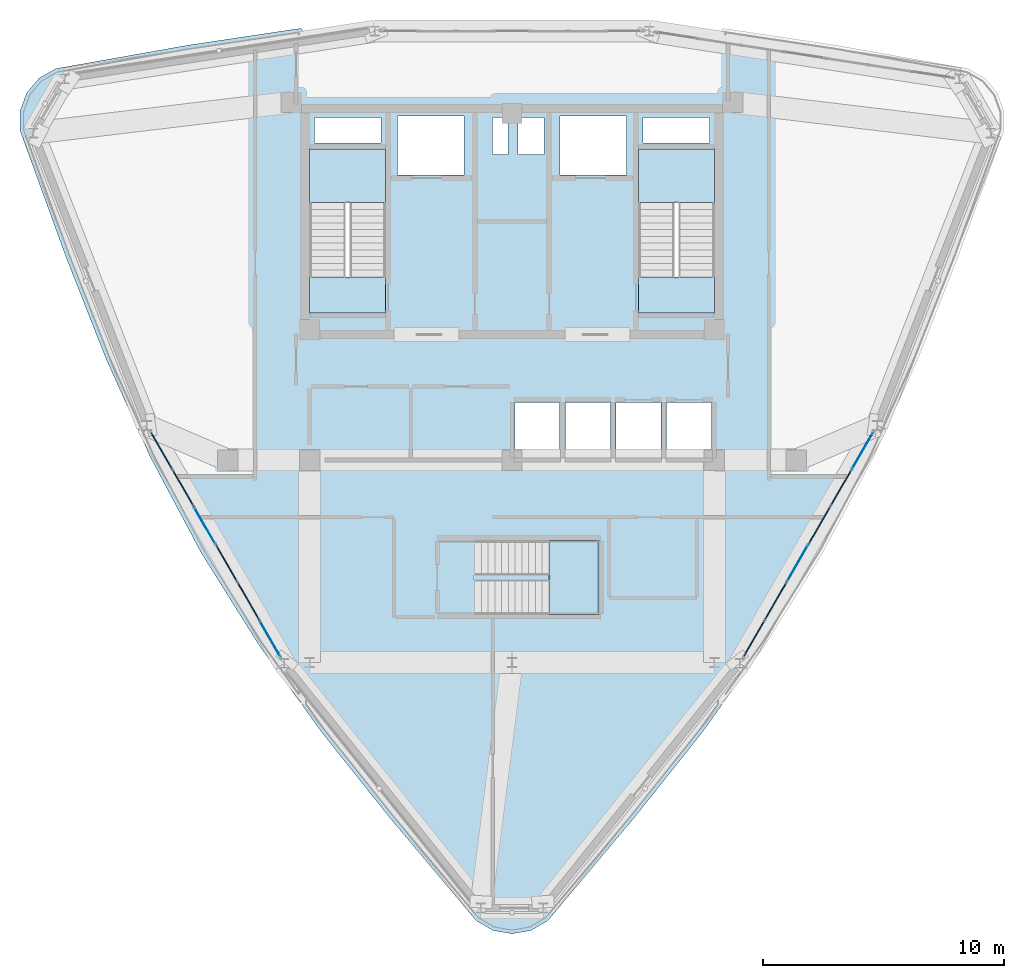
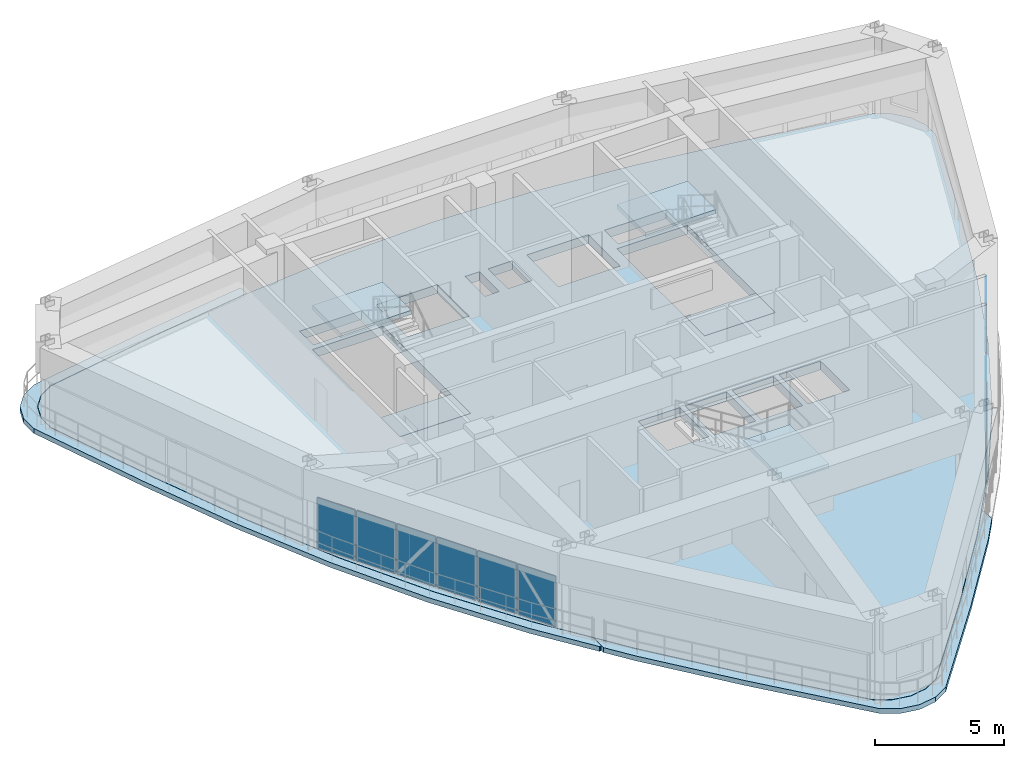
# One storey, part 11 of 18: 12 plates, 8 slabs, 5 elements without a shape of their own.
"""IFC4 building model written with IfcOpenShell, lengths in metres."""

from ifc_helpers import new_model, si_unit, derived_unit, direction, frame, origin, origin_2d, place, context, subcontext, project, spatial, polyline, rectangle, outline, extrude, source, transform, mapped, material, layer, layer_set, type_object, element, aggregate, save


model = new_model("IFC4")

# Units and contexts
model_context = context("Model", 3, precision=1e-05, world=origin(), true_north=direction((0.0, 1.0)))
body_context = subcontext(model_context, "Body", "Model", "MODEL_VIEW")
ifc_project = project(units=[si_unit("LENGTHUNIT", "METRE"), si_unit("AREAUNIT", "SQUARE_METRE"), si_unit("VOLUMEUNIT", "CUBIC_METRE"), si_unit("PLANEANGLEUNIT", "RADIAN"), si_unit("MASSUNIT", "GRAM", prefix="KILO"), derived_unit("THERMALTRANSMITTANCEUNIT", [(si_unit("POWERUNIT", "WATT"), 1), (si_unit("LENGTHUNIT", "METRE"), -2), (si_unit("THERMODYNAMICTEMPERATUREUNIT", "KELVIN"), -1)])], contexts=[model_context])

# Site, building, storey
site_placement = place(None, origin())
site = spatial("IfcSite", under=ifc_project, at=site_placement, CompositionType="ELEMENT")
building_placement = place(site_placement, origin())
building = spatial("IfcBuilding", under=site, at=building_placement, Name="Korsvarv Bourse and Concert Hall", CompositionType="ELEMENT")
storey_placement = place(building_placement, frame((0.0, 0.0, 275.39990234375)))
storey = spatial("IfcBuildingStorey", under=building, at=storey_placement, Name="L72", CompositionType="ELEMENT", Elevation=275.39990234375)

# Slabs
ifc_material_1 = material(Name="Precast concrete C45/55", Category="concrete")
ifc_layer_1 = layer(ifc_material_1, 0.199951171875)
ifc_layer_set_1 = layer_set([ifc_layer_1], Name="Precast concrete C45/55")
slab_type_1 = type_object("IfcSlabType", Name="SLB-FLND-T", PredefinedType="LANDING", material=ifc_layer_set_1)
slab_1_placement = place(storey_placement, frame((0.0, 0.0, -0.199951171875)))
element("IfcSlab", 1, at=slab_1_placement, inside=storey, type_object=slab_type_1, Name="L72 Stair ST-T1 Floor Landing Slab", PredefinedType="LANDING", context=body_context, shape_type="SweptSolid", body=[
    extrude(outline(polyline([(30.760009765625, 38.5), (30.760009765625, 40.0), (27.60009765625, 40.0), (27.60009765625, 38.5), (30.760009765625, 38.5)])), origin(), (0.0, 0.0, 1.0), 0.199951171875),
])
slab_2_placement = place(storey_placement, frame((0.0, 0.0, -0.199951171875)))
element("IfcSlab", 2, at=slab_2_placement, inside=storey, type_object=slab_type_1, Name="L72 Stair ST-T2 Floor Landing Slab", PredefinedType="LANDING", context=body_context, shape_type="SweptSolid", body=[
    extrude(outline(polyline([(44.39990234375, 38.5), (44.39990234375, 40.0), (41.239990234375, 40.0), (41.239990234375, 38.5), (44.39990234375, 38.5)])), origin(), (0.0, 0.0, 1.0), 0.199951171875),
])
ifc_material_2 = material(Name="Concrete C45/55", Category="concrete")
ifc_layer_2 = layer(ifc_material_2, 0.239990234375)
ifc_layer_set_2 = layer_set([ifc_layer_2], Name="Concrete C45/55")
slab_type_2 = type_object("IfcSlabType", Name="SLB-LKT", PredefinedType="FLOOR", material=ifc_layer_set_2)
slab_3_placement = place(storey_placement, frame((0.0, 0.0, -0.419921875)))
element("IfcSlab", 3, at=slab_3_placement, inside=storey, type_object=slab_type_2, Name="L72 tower structural floor slab", PredefinedType="FLOOR", context=body_context, shape_type="SweptSolid", body=[
    extrude(outline(polyline([(55.48974609375, 44.930419921875), (53.9658203125, 40.7333984375), (52.346923828125, 36.61572265625), (50.546630859375, 32.622802734375), (48.5048828125, 28.7802734375), (46.197998046875, 25.0908203125), (43.64013671875, 21.53515625), (40.8837890625, 18.074462890625), (38.010498046875, 14.65576171875), (37.418212890625, 13.94970703125), (36.754638671875, 13.566650390625), (36.0, 13.43359375), (35.245361328125, 13.566650390625), (34.581787109375, 13.94970703125), (33.989013671875, 14.65625), (31.1162109375, 18.074462890625), (28.35986328125, 21.53515625), (25.802001953125, 25.0908203125), (23.4951171875, 28.7802734375), (21.453369140625, 32.622802734375), (19.653076171875, 36.61572265625), (18.0341796875, 40.7333984375), (16.510009765625, 44.930908203125), (16.19482421875, 45.796875), (16.19482421875, 46.56298828125), (16.456787109375, 47.283203125), (16.949462890625, 47.8701171875), (17.613037109375, 48.25341796875), (18.521240234375, 48.41357421875), (22.91796875, 49.192138671875), (27.293212890625, 49.84912109375), (31.6513671875, 50.2861328125), (36.0, 50.439453125), (40.3486328125, 50.2861328125), (44.706787109375, 49.84912109375), (49.08203125, 49.192138671875), (53.4794921875, 48.413330078125), (54.386962890625, 48.25341796875), (55.050537109375, 47.8701171875), (55.543212890625, 47.283203125), (55.80517578125, 46.56298828125), (55.80517578125, 45.796875), (55.48974609375, 44.930419921875)]), holes=[polyline([(30.760009765625, 38.5), (30.760009765625, 45.300048828125), (27.60009765625, 45.300048828125), (27.60009765625, 38.5), (30.760009765625, 38.5)]), polyline([(44.39990234375, 38.5), (44.39990234375, 45.300048828125), (41.239990234375, 45.300048828125), (41.239990234375, 38.5), (44.39990234375, 38.5)]), polyline([(31.239990234375, 44.219970703125), (34.0, 44.219970703125), (34.0, 46.679931640625), (31.239990234375, 46.679931640625), (31.239990234375, 44.219970703125)]), polyline([(38.0, 44.219970703125), (40.760009765625, 44.219970703125), (40.760009765625, 46.679931640625), (38.0, 46.679931640625), (38.0, 44.219970703125)]), polyline([(36.1201171875, 32.52001953125), (37.97998046875, 32.52001953125), (37.97998046875, 34.780029296875), (36.1201171875, 34.780029296875), (36.1201171875, 32.52001953125)]), polyline([(38.219970703125, 32.52001953125), (40.080078125, 32.52001953125), (40.080078125, 34.780029296875), (38.219970703125, 34.780029296875), (38.219970703125, 32.52001953125)]), polyline([(40.320068359375, 32.52001953125), (42.179931640625, 32.52001953125), (42.179931640625, 34.780029296875), (40.320068359375, 34.780029296875), (40.320068359375, 32.52001953125)]), polyline([(42.419921875, 32.52001953125), (44.280029296875, 32.52001953125), (44.280029296875, 34.780029296875), (42.419921875, 34.780029296875), (42.419921875, 32.52001953125)]), polyline([(27.800048828125, 45.56005859375), (30.56005859375, 45.56005859375), (30.56005859375, 46.6201171875), (27.800048828125, 46.6201171875), (27.800048828125, 45.56005859375)]), polyline([(41.43994140625, 45.56005859375), (44.199951171875, 45.56005859375), (44.199951171875, 46.6201171875), (41.43994140625, 46.6201171875), (41.43994140625, 45.56005859375)]), polyline([(35.199951171875, 45.080078125), (35.840087890625, 45.080078125), (35.840087890625, 46.6201171875), (35.199951171875, 46.6201171875), (35.199951171875, 45.080078125)]), polyline([(36.239990234375, 45.080078125), (37.320068359375, 45.080078125), (37.320068359375, 46.6201171875), (36.239990234375, 46.6201171875), (36.239990234375, 45.080078125)])]), origin(), (0.0, 0.0, 1.0), 0.419921875),
])
ifc_layer_3 = layer(ifc_material_2, 0.22998046875)
ifc_layer_set_3 = layer_set([ifc_layer_3], Name="Concrete C45/55")
slab_type_3 = type_object("IfcSlabType", Name="SLB-SKY", PredefinedType="FLOOR", material=ifc_layer_set_3)
slab_4_placement = place(storey_placement, frame((0.0, 0.0, -0.22998046875)))
element("IfcSlab", 4, at=slab_4_placement, inside=storey, type_object=slab_type_3, Name="L72 Crescent Sky Garden Terrace 1", PredefinedType="FLOOR", context=body_context, shape_type="SweptSolid", body=[
    extrude(outline(polyline([(16.184814453125, 46.56298828125), (16.184814453125, 46.5625), (16.184814453125, 45.797607421875), (16.184814453125, 45.796875), (16.184814453125, 45.795654296875), (16.18505859375, 45.794677734375), (16.185302734375, 45.79345703125), (16.185546875, 45.792724609375), (16.50048828125, 44.927490234375), (18.024658203125, 40.730224609375), (18.02490234375, 40.72998046875), (18.02490234375, 40.7294921875), (19.6435546875, 36.612548828125), (19.643798828125, 36.612060546875), (19.64404296875, 36.611328125), (21.444091796875, 32.619140625), (21.4443359375, 32.618408203125), (21.44482421875, 32.61767578125), (23.486083984375, 28.77587890625), (23.486328125, 28.775390625), (23.48681640625, 28.7744140625), (25.793212890625, 25.0859375), (25.793701171875, 25.085205078125), (25.794189453125, 25.084716796875), (27.288818359375, 23.007080078125), (27.2919921875, 23.001708984375), (27.294921875, 22.99609375), (27.297119140625, 22.990478515625), (27.298583984375, 22.984375), (27.2998046875, 22.978271484375), (27.300048828125, 22.971923828125), (27.300048828125, 22.405517578125), (27.2998046875, 22.399658203125), (27.298828125, 22.393798828125), (27.297607421875, 22.38818359375), (27.295654296875, 22.3828125), (27.293212890625, 22.37744140625), (27.290283203125, 22.37255859375), (27.28662109375, 22.367919921875), (27.282958984375, 22.36328125), (27.278564453125, 22.359619140625), (27.27392578125, 22.35595703125), (27.26904296875, 22.352783203125), (27.263916015625, 22.350341796875), (27.25830078125, 22.348388671875), (27.252685546875, 22.3466796875), (27.2470703125, 22.345703125), (27.2412109375, 22.345458984375), (27.235595703125, 22.345703125), (27.229736328125, 22.34619140625), (27.22412109375, 22.34765625), (27.218505859375, 22.349365234375), (27.213134765625, 22.351806640625), (27.2080078125, 22.3544921875), (27.203369140625, 22.35791015625), (27.198974609375, 22.361572265625), (27.19482421875, 22.36572265625), (27.19140625, 22.370361328125), (25.476806640625, 24.75341796875), (25.474853515625, 24.756591796875), (23.10205078125, 28.551025390625), (23.10009765625, 28.5546875), (21.00048828125, 32.506591796875), (20.998779296875, 32.510009765625), (19.14697265625, 36.616943359375), (19.14599609375, 36.61962890625), (17.48095703125, 40.855712890625), (17.480224609375, 40.85693359375), (15.912353515625, 45.176025390625), (15.589111328125, 46.064697265625), (15.58740234375, 46.069580078125), (15.586181640625, 46.07470703125), (15.585693359375, 46.079833984375), (15.58544921875, 46.085205078125), (15.58544921875, 46.864990234375), (15.585693359375, 46.8701171875), (15.586181640625, 46.875244140625), (15.58740234375, 46.880615234375), (15.589111328125, 46.885498046875), (15.855712890625, 47.618408203125), (15.85791015625, 47.623046875), (15.860107421875, 47.627685546875), (15.863037109375, 47.632080078125), (15.8662109375, 47.63623046875), (16.367431640625, 48.233642578125), (16.370849609375, 48.237548828125), (16.374755859375, 48.2412109375), (16.37890625, 48.244384765625), (16.38330078125, 48.2470703125), (17.05859375, 48.636962890625), (17.0634765625, 48.639404296875), (17.068115234375, 48.641357421875), (17.0732421875, 48.64306640625), (17.078369140625, 48.64404296875), (18.01025390625, 48.80859375), (22.533935546875, 49.610107421875), (22.535400390625, 49.610107421875), (27.036376953125, 50.286376953125), (27.039306640625, 50.28662109375), (27.23388671875, 50.30615234375), (27.239990234375, 50.306396484375), (27.245849609375, 50.30615234375), (27.251708984375, 50.305419921875), (27.25732421875, 50.303955078125), (27.262939453125, 50.302001953125), (27.268310546875, 50.29931640625), (27.273193359375, 50.29638671875), (27.278076171875, 50.29296875), (27.282470703125, 50.2890625), (27.286376953125, 50.28466796875), (27.289794921875, 50.27978515625), (27.29296875, 50.27490234375), (27.29541015625, 50.26953125), (27.29736328125, 50.263916015625), (27.298828125, 50.25830078125), (27.2998046875, 50.25244140625), (27.300048828125, 50.24658203125), (27.300048828125, 49.911865234375), (27.2998046875, 49.90576171875), (27.298828125, 49.899658203125), (27.297119140625, 49.893798828125), (27.295166015625, 49.88818359375), (27.29248046875, 49.8828125), (27.289306640625, 49.87744140625), (27.285400390625, 49.872802734375), (27.28125, 49.868408203125), (27.276611328125, 49.8642578125), (27.271484375, 49.86083984375), (27.266357421875, 49.85791015625), (27.2607421875, 49.85546875), (27.2548828125, 49.853759765625), (27.248779296875, 49.8525390625), (22.91650390625, 49.2021484375), (22.91650390625, 49.201904296875), (22.916015625, 49.201904296875), (18.519287109375, 48.42333984375), (17.612060546875, 48.26318359375), (17.611572265625, 48.26318359375), (17.610107421875, 48.2626953125), (17.609375, 48.262451171875), (17.608154296875, 48.261962890625), (17.607666015625, 48.26171875), (16.945068359375, 47.879150390625), (16.944580078125, 47.87890625), (16.943359375, 47.878173828125), (16.942626953125, 47.87744140625), (16.94189453125, 47.87646484375), (16.94140625, 47.876220703125), (16.44970703125, 47.2900390625), (16.44921875, 47.289794921875), (16.448486328125, 47.28857421875), (16.447998046875, 47.287841796875), (16.447509765625, 47.28662109375), (16.447265625, 47.285888671875), (16.185546875, 46.567138671875), (16.185302734375, 46.566650390625), (16.18505859375, 46.565185546875), (16.184814453125, 46.564453125), (16.184814453125, 46.56298828125)])), origin(), (0.0, 0.0, 1.0), 0.22998046875),
])
slab_5_placement = place(storey_placement, frame((0.0, 0.0, -0.22998046875)))
element("IfcSlab", 5, at=slab_5_placement, inside=storey, type_object=slab_type_3, Name="L72 Crescent Sky Garden Terrace 3", PredefinedType="FLOOR", context=body_context, shape_type="SweptSolid", body=[
    extrude(outline(polyline([(34.57568359375, 13.94189453125), (34.576904296875, 13.941162109375), (34.577392578125, 13.94091796875), (35.23974609375, 13.558349609375), (35.240234375, 13.55810546875), (35.241455078125, 13.5576171875), (35.242431640625, 13.55712890625), (35.24365234375, 13.556884765625), (35.244384765625, 13.556640625), (35.99755859375, 13.423828125), (35.998291015625, 13.423828125), (35.99951171875, 13.423583984375), (36.00048828125, 13.423583984375), (36.001708984375, 13.423828125), (36.00244140625, 13.423828125), (36.755615234375, 13.556640625), (36.75634765625, 13.556884765625), (36.757568359375, 13.55712890625), (36.758544921875, 13.5576171875), (36.759765625, 13.55810546875), (36.76025390625, 13.558349609375), (37.422607421875, 13.94091796875), (37.423095703125, 13.941162109375), (37.42431640625, 13.94189453125), (37.425048828125, 13.9423828125), (37.42578125, 13.943603515625), (37.42626953125, 13.94384765625), (38.018310546875, 14.6494140625), (40.89111328125, 18.06787109375), (40.891357421875, 18.068115234375), (40.8916015625, 18.068603515625), (43.647705078125, 21.52880859375), (43.648193359375, 21.529052734375), (43.648681640625, 21.52978515625), (44.59130859375, 22.840087890625), (44.594970703125, 22.8447265625), (44.598876953125, 22.848876953125), (44.603515625, 22.852783203125), (44.608154296875, 22.85595703125), (44.61328125, 22.85888671875), (44.618408203125, 22.861083984375), (44.6240234375, 22.863037109375), (44.629638671875, 22.8642578125), (44.635498046875, 22.864990234375), (44.641357421875, 22.864990234375), (44.647216796875, 22.86474609375), (44.65283203125, 22.86376953125), (44.658447265625, 22.8623046875), (44.663818359375, 22.860107421875), (44.669189453125, 22.857666015625), (44.674072265625, 22.8544921875), (44.6787109375, 22.85107421875), (44.682861328125, 22.84716796875), (44.686767578125, 22.8427734375), (44.690185546875, 22.838134765625), (44.693115234375, 22.8330078125), (44.695556640625, 22.827880859375), (44.697509765625, 22.822265625), (44.698974609375, 22.816650390625), (44.69970703125, 22.81103515625), (44.699951171875, 22.80517578125), (44.699951171875, 22.238525390625), (44.69970703125, 22.232421875), (44.69873046875, 22.226318359375), (44.697021484375, 22.22021484375), (44.69482421875, 22.21435546875), (44.692138671875, 22.208740234375), (44.688720703125, 22.20361328125), (43.892333984375, 21.096435546875), (43.890380859375, 21.093994140625), (41.0546875, 17.5341796875), (41.0537109375, 17.533203125), (38.09716796875, 14.015625), (37.4892578125, 13.291259765625), (37.48583984375, 13.287353515625), (37.48193359375, 13.283935546875), (37.477783203125, 13.28076171875), (37.473388671875, 13.27783203125), (36.798095703125, 12.887939453125), (36.79345703125, 12.885498046875), (36.78857421875, 12.883544921875), (36.78369140625, 12.882080078125), (36.778564453125, 12.880859375), (36.010498046875, 12.745361328125), (36.005126953125, 12.744873046875), (36.0, 12.744384765625), (35.994873046875, 12.744873046875), (35.989501953125, 12.745361328125), (35.221435546875, 12.880859375), (35.21630859375, 12.882080078125), (35.21142578125, 12.883544921875), (35.20654296875, 12.885498046875), (35.201904296875, 12.887939453125), (34.526611328125, 13.27783203125), (34.522216796875, 13.28076171875), (34.51806640625, 13.283935546875), (34.51416015625, 13.287353515625), (34.5107421875, 13.291259765625), (33.90234375, 14.01611328125), (30.9462890625, 17.533203125), (30.9453125, 17.5341796875), (28.109619140625, 21.093994140625), (28.107666015625, 21.096435546875), (27.311279296875, 22.20361328125), (27.307861328125, 22.208740234375), (27.30517578125, 22.21435546875), (27.302978515625, 22.22021484375), (27.30126953125, 22.226318359375), (27.30029296875, 22.232421875), (27.300048828125, 22.238525390625), (27.300048828125, 22.80517578125), (27.30029296875, 22.81103515625), (27.301025390625, 22.816650390625), (27.302490234375, 22.822265625), (27.304443359375, 22.827880859375), (27.306884765625, 22.8330078125), (27.309814453125, 22.838134765625), (27.313232421875, 22.8427734375), (27.317138671875, 22.84716796875), (27.3212890625, 22.85107421875), (27.325927734375, 22.8544921875), (27.330810546875, 22.857666015625), (27.336181640625, 22.860107421875), (27.341552734375, 22.8623046875), (27.34716796875, 22.86376953125), (27.352783203125, 22.86474609375), (27.358642578125, 22.864990234375), (27.364501953125, 22.864990234375), (27.370361328125, 22.8642578125), (27.3759765625, 22.863037109375), (27.381591796875, 22.861083984375), (27.38671875, 22.85888671875), (27.391845703125, 22.85595703125), (27.396484375, 22.852783203125), (27.401123046875, 22.848876953125), (27.405029296875, 22.8447265625), (27.40869140625, 22.840087890625), (28.351318359375, 21.52978515625), (28.351806640625, 21.529296875), (28.352294921875, 21.528564453125), (31.1083984375, 18.068359375), (31.1083984375, 18.068115234375), (31.10888671875, 18.06787109375), (33.981201171875, 14.649658203125), (34.57373046875, 13.94384765625), (34.57421875, 13.943603515625), (34.574951171875, 13.9423828125), (34.57568359375, 13.94189453125)])), origin(), (0.0, 0.0, 1.0), 0.22998046875),
])

# Stair, slab
stair_type_1 = type_object("IfcStairType", Name="STR-TYPE-05", PredefinedType="HALF_TURN_STAIR", material=ifc_material_1)
stair_1_placement = place(storey_placement, origin())
stair_1 = element("IfcStair", 6, at=stair_1_placement, inside=storey, type_object=stair_type_1, Name="L72 Tower West Exit Stair ST-T1", PredefinedType="HALF_TURN_STAIR")
ifc_layer_4 = layer(ifc_material_1, 0.199951171875)
ifc_layer_set_4 = layer_set([ifc_layer_4], Name="Precast concrete C45/55")
slab_type_4 = type_object("IfcSlabType", Name="SLB-ST-LND", PredefinedType="LANDING", material=ifc_layer_set_4)
slab_6_placement = place(storey_placement, frame((0.0, 0.0, 1.900146484375)))
slab_6 = element("IfcSlab", 7, at=slab_6_placement, type_object=slab_type_4, Name="ST-T1 landing 1", PredefinedType="LANDING", context=body_context, shape_type="SweptSolid", body=[
    extrude(outline(polyline([(30.760009765625, 43.080078125), (30.760009765625, 45.300048828125), (27.60009765625, 45.300048828125), (27.60009765625, 43.080078125), (30.760009765625, 43.080078125)])), origin(), (0.0, 0.0, 1.0), 0.199951171875),
])
aggregate(stair_1, [slab_6])

stair_2_placement = place(storey_placement, origin())
stair_2 = element("IfcStair", 8, at=stair_2_placement, inside=storey, type_object=stair_type_1, Name="L72 Tower East Exit Stair ST-T2", PredefinedType="HALF_TURN_STAIR")
slab_7_placement = place(storey_placement, frame((0.0, 0.0, 1.900146484375)))
slab_7 = element("IfcSlab", 9, at=slab_7_placement, type_object=slab_type_4, Name="ST-T2 landing 1", PredefinedType="LANDING", context=body_context, shape_type="SweptSolid", body=[
    extrude(outline(polyline([(44.39990234375, 43.080078125), (44.39990234375, 45.300048828125), (41.239990234375, 45.300048828125), (41.239990234375, 43.080078125), (44.39990234375, 43.080078125)])), origin(), (0.0, 0.0, 1.0), 0.199951171875),
])
aggregate(stair_2, [slab_7])

stair_type_2 = type_object("IfcStairType", Name="STR-TYPE-08", PredefinedType="HALF_TURN_STAIR", material=ifc_material_1)
stair_3_placement = place(storey_placement, origin())
stair_3 = element("IfcStair", 10, at=stair_3_placement, inside=storey, type_object=stair_type_2, Name="L72 Public Lookout Feature Stair ST-LK1", PredefinedType="HALF_TURN_STAIR")
slab_8_placement = place(storey_placement, frame((0.0, 0.0, 1.900146484375)))
slab_8 = element("IfcSlab", 11, at=slab_8_placement, type_object=slab_type_4, Name="ST-LK1 landing 1", PredefinedType="LANDING", context=body_context, shape_type="SweptSolid", body=[
    extrude(outline(polyline([(37.530029296875, 26.0), (39.60009765625, 26.0), (39.60009765625, 29.06005859375), (37.530029296875, 29.06005859375), (37.530029296875, 26.0)])), origin(), (0.0, 0.0, 1.0), 0.199951171875),
])
aggregate(stair_3, [slab_8])

# Curtain wall, plate
ifc_material_3 = material(Name="Anodised aluminium and triple low-E glazing", Category="glass")
ifc_layer_5 = layer(ifc_material_3, 0.18994140625)
ifc_layer_set_5 = layer_set([ifc_layer_5], Name="Anodised aluminium and triple low-E glazing")
curtain_wall_type = type_object("IfcCurtainWallType", Name="CW-SYS-4", PredefinedType="NOTDEFINED", material=ifc_layer_set_5)
curtain_wall_1_placement = place(storey_placement, origin())
curtain_wall_1 = element("IfcCurtainWall", 12, at=curtain_wall_1_placement, inside=storey, type_object=curtain_wall_type, Name="L72 CW4 curtain wall CW-L72-F07", PredefinedType="NOTDEFINED")
ifc_material_4 = material(Name="Tempered triple insulated low-E architectural glass", Category="glass")
ifc_layer_6 = layer(ifc_material_4, 0.0419921875)
ifc_layer_set_6 = layer_set([ifc_layer_6], Name="Tempered triple insulated low-E architectural glass")
plate_type_1 = type_object("IfcPlateType", Name="CWP-VIS3", PredefinedType="CURTAIN_PANEL", material=ifc_layer_set_6)
shared_shape_1 = source(origin(), body_context, "Body", "SweptSolid", [
    extrude(rectangle(XDim=1.69873046875, YDim=0.0419921875, at=origin_2d()), origin(), (0.0, 0.0, 1.0), 2.389892578125),
])
plate_1_placement = place(storey_placement, frame((21.456787109375, 32.7900390625, 0.06494140625), z_axis=(0.0, 0.0, 1.0), x_axis=(0.500004006179, -0.866023090804, 0.0)))
plate_1 = element("IfcPlate", 13, at=plate_1_placement, type_object=plate_type_1, Name="CW4 faceted panel 1.1", PredefinedType="CURTAIN_PANEL", context=body_context, shape_type="MappedRepresentation", body=[
    mapped(shared_shape_1, transform((0.0, 0.0, 0.0), scale=1.0)),
])

curtain_wall_2_placement = place(storey_placement, origin())
curtain_wall_2 = element("IfcCurtainWall", 14, at=curtain_wall_2_placement, inside=storey, type_object=curtain_wall_type, Name="L72 CW4 curtain wall CW-L72-F11", PredefinedType="NOTDEFINED")
plate_2_placement = place(storey_placement, frame((46.051513671875, 25.01025390625, 0.06494140625), z_axis=(0.0, 0.0, 1.0), x_axis=(0.500004006179, 0.866023090804, 0.0)))
plate_2 = element("IfcPlate", 15, at=plate_2_placement, type_object=plate_type_1, Name="CW4 faceted panel 1.1", PredefinedType="CURTAIN_PANEL", context=body_context, shape_type="MappedRepresentation", body=[
    mapped(shared_shape_1, transform((0.0, 0.0, 0.0), scale=1.0)),
])

# Plate
shared_shape_2 = source(origin(), body_context, "Body", "SweptSolid", [
    extrude(rectangle(XDim=1.733642578125, YDim=0.0419921875, at=origin_2d()), origin(), (0.0, 0.0, 1.0), 2.389892578125),
])
plate_3_placement = place(storey_placement, frame((22.349853515625, 31.2431640625, 0.06494140625), z_axis=(0.0, 0.0, 1.0), x_axis=(0.500004006179, -0.866023090804, 0.0)))
plate_3 = element("IfcPlate", 16, at=plate_3_placement, type_object=plate_type_1, Name="CW4 faceted panel 2.1", PredefinedType="CURTAIN_PANEL", context=body_context, shape_type="MappedRepresentation", body=[
    mapped(shared_shape_2, transform((0.0, 0.0, 0.0), scale=1.0)),
])

plate_4_placement = place(storey_placement, frame((24.153564453125, 28.119140625, 0.06494140625), z_axis=(0.0, 0.0, 1.0), x_axis=(0.500004006179, -0.866023090804, 0.0)))
plate_4 = element("IfcPlate", 17, at=plate_4_placement, type_object=plate_type_1, Name="CW4 faceted panel 4.1", PredefinedType="CURTAIN_PANEL", context=body_context, shape_type="MappedRepresentation", body=[
    mapped(shared_shape_2, transform((0.0, 0.0, 0.0), scale=1.0)),
])

plate_5_placement = place(storey_placement, frame((25.055419921875, 26.55712890625, 0.06494140625), z_axis=(0.0, 0.0, 1.0), x_axis=(0.500004006179, -0.866023090804, 0.0)))
plate_5 = element("IfcPlate", 18, at=plate_5_placement, type_object=plate_type_1, Name="CW4 faceted panel 5.1", PredefinedType="CURTAIN_PANEL", context=body_context, shape_type="MappedRepresentation", body=[
    mapped(shared_shape_2, transform((0.0, 0.0, 0.0), scale=1.0)),
])

plate_6_placement = place(storey_placement, frame((46.944580078125, 26.55712890625, 0.06494140625), z_axis=(0.0, 0.0, 1.0), x_axis=(0.500004006179, 0.866023090804, 0.0)))
plate_6 = element("IfcPlate", 19, at=plate_6_placement, type_object=plate_type_1, Name="CW4 faceted panel 2.1", PredefinedType="CURTAIN_PANEL", context=body_context, shape_type="MappedRepresentation", body=[
    mapped(shared_shape_2, transform((0.0, 0.0, 0.0), scale=1.0)),
])

plate_7_placement = place(storey_placement, frame((48.748291015625, 29.68115234375, 0.06494140625), z_axis=(0.0, 0.0, 1.0), x_axis=(0.500004006179, 0.866023090804, 0.0)))
plate_7 = element("IfcPlate", 20, at=plate_7_placement, type_object=plate_type_1, Name="CW4 faceted panel 4.1", PredefinedType="CURTAIN_PANEL", context=body_context, shape_type="MappedRepresentation", body=[
    mapped(shared_shape_2, transform((0.0, 0.0, 0.0), scale=1.0)),
])

plate_8_placement = place(storey_placement, frame((49.650146484375, 31.2431640625, 0.06494140625), z_axis=(0.0, 0.0, 1.0), x_axis=(0.500004006179, 0.866023090804, 0.0)))
plate_8 = element("IfcPlate", 21, at=plate_8_placement, type_object=plate_type_1, Name="CW4 faceted panel 5.1", PredefinedType="CURTAIN_PANEL", context=body_context, shape_type="MappedRepresentation", body=[
    mapped(shared_shape_2, transform((0.0, 0.0, 0.0), scale=1.0)),
])

ifc_material_5 = material(Name="Insulated spandrel glass", Category="glass")
ifc_layer_7 = layer(ifc_material_5, 0.031982421875)
ifc_layer_set_7 = layer_set([ifc_layer_7], Name="Insulated spandrel glass")
plate_type_2 = type_object("IfcPlateType", Name="CWP-SPD1", PredefinedType="CURTAIN_PANEL", material=ifc_layer_set_7)
shared_shape_3 = source(origin(), body_context, "Body", "SweptSolid", [
    extrude(rectangle(XDim=1.733642578125, YDim=0.031982421875, at=origin_2d()), origin(), (0.0, 0.0, 1.0), 2.389892578125),
])
plate_9_placement = place(storey_placement, frame((23.251708984375, 29.68115234375, 0.06494140625), z_axis=(0.0, 0.0, 1.0), x_axis=(0.500004006179, -0.866023090804, 0.0)))
plate_9 = element("IfcPlate", 22, at=plate_9_placement, type_object=plate_type_2, Name="CW4 spandrel shadow-box panel 3.1", PredefinedType="CURTAIN_PANEL", context=body_context, shape_type="MappedRepresentation", body=[
    mapped(shared_shape_3, transform((0.0, 0.0, 0.0), scale=1.0)),
])

plate_10_placement = place(storey_placement, frame((47.846435546875, 28.119140625, 0.06494140625), z_axis=(0.0, 0.0, 1.0), x_axis=(0.500004006179, 0.866023090804, 0.0)))
plate_10 = element("IfcPlate", 23, at=plate_10_placement, type_object=plate_type_2, Name="CW4 spandrel shadow-box panel 3.1", PredefinedType="CURTAIN_PANEL", context=body_context, shape_type="MappedRepresentation", body=[
    mapped(shared_shape_3, transform((0.0, 0.0, 0.0), scale=1.0)),
])

shared_shape_4 = source(origin(), body_context, "Body", "SweptSolid", [
    extrude(rectangle(XDim=1.69873046875, YDim=0.031982421875, at=origin_2d()), origin(), (0.0, 0.0, 1.0), 2.389892578125),
])
plate_11_placement = place(storey_placement, frame((25.948486328125, 25.01025390625, 0.06494140625), z_axis=(0.0, 0.0, 1.0), x_axis=(0.500004006179, -0.866023090804, 0.0)))
plate_11 = element("IfcPlate", 24, at=plate_11_placement, type_object=plate_type_2, Name="CW4 spandrel shadow-box panel 6.1", PredefinedType="CURTAIN_PANEL", context=body_context, shape_type="MappedRepresentation", body=[
    mapped(shared_shape_4, transform((0.0, 0.0, 0.0), scale=1.0)),
])

aggregate(curtain_wall_1, [plate_1, plate_3, plate_9, plate_4, plate_5, plate_11])

plate_12_placement = place(storey_placement, frame((50.543212890625, 32.7900390625, 0.06494140625), z_axis=(0.0, 0.0, 1.0), x_axis=(0.500004006179, 0.866023090804, 0.0)))
plate_12 = element("IfcPlate", 25, at=plate_12_placement, type_object=plate_type_2, Name="CW4 spandrel shadow-box panel 6.1", PredefinedType="CURTAIN_PANEL", context=body_context, shape_type="MappedRepresentation", body=[
    mapped(shared_shape_4, transform((0.0, 0.0, 0.0), scale=1.0)),
])

aggregate(curtain_wall_2, [plate_2, plate_6, plate_10, plate_7, plate_8, plate_12])

save(model, "model.ifc")
